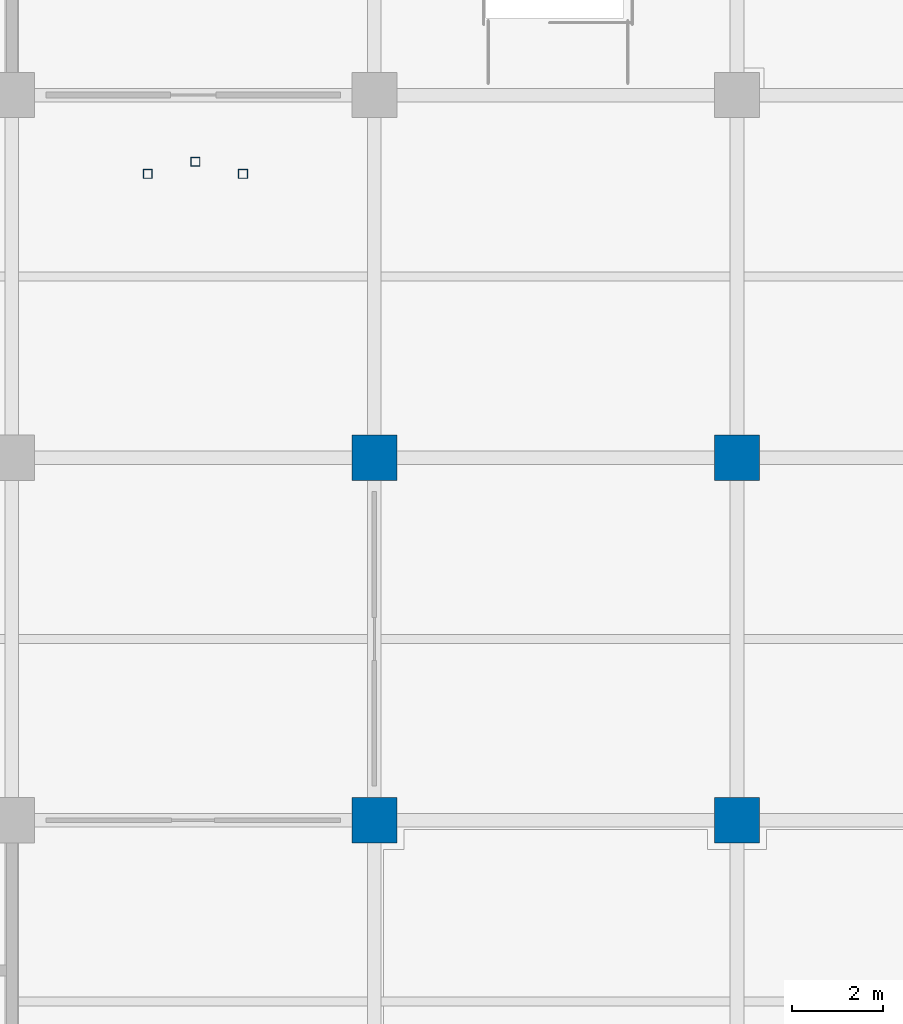
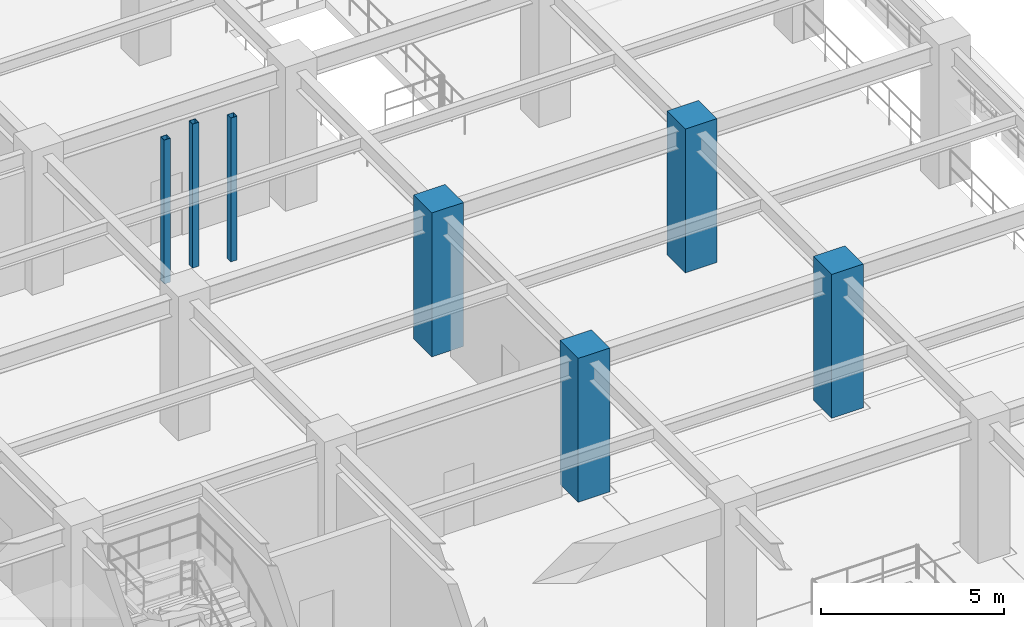
# One storey, part 2 of 117: 7 columns.
"""IFC4 building model written with IfcOpenShell, lengths in metres."""

import ifcopenshell
import ifcopenshell.guid

model = None  # the IFC model being written
_history = None  # IfcOwnerHistory: only IFC2X3 demands one
_inside = {}  # id of a spatial element -> (the spatial element, [elements in it])
_under = {}  # id of a project, library or spatial element -> (it, [spatial elements below it])
_declared = {}  # id of a project -> (the project, [libraries it declares])
_typed = {}  # id of a type object -> (the type object, [elements of that type])
_made_of = {}  # id of a material, layer set ... -> (it, [elements and type objects made of it])


def new_model(schema):
    """Start an empty IFC model of exactly this schema.

    Asked for "IFC4X3", IfcOpenShell would pick the latest addendum, in which some entities
    have other attributes; the version numbers below select the first issue.
    IFC2X3 requires an IfcOwnerHistory on every rooted entity: one is made here for all.
    """
    global model, _history
    if schema == "IFC4X3":
        model = ifcopenshell.file(schema_version=(4, 3, 0, 0))
    else:
        model = ifcopenshell.file(schema=schema)
    _inside.clear()
    _under.clear()
    _declared.clear()
    _typed.clear()
    _made_of.clear()
    _history = None
    if model.schema == "IFC2X3":
        org = make("IfcOrganization", Name="unknown")
        user = make(
            "IfcPersonAndOrganization",
            ThePerson=make("IfcPerson", FamilyName="unknown"),
            TheOrganization=org,
        )
        app = make(
            "IfcApplication",
            ApplicationDeveloper=org,
            Version="unknown",
            ApplicationFullName="unknown",
            ApplicationIdentifier="unknown",
        )
        _history = make(
            "IfcOwnerHistory",
            OwningUser=user,
            OwningApplication=app,
            ChangeAction="ADDED",
            CreationDate=0,
        )
    return model


def make(cls, **values):
    """One entity of the class cls with the attributes given. An attribute that is None is left unset."""
    return model.create_entity(
        cls, **{name: value for name, value in values.items() if value is not None}
    )


def rooted(cls, **values):
    """An entity with a GlobalId (a new one), such as an element, a storey or a relation."""
    return make(cls, GlobalId=ifcopenshell.guid.new(), OwnerHistory=_history, **values)


def si_unit(unit_type, name, prefix=None):
    """IfcSIUnit, for example si_unit("LENGTHUNIT", "METRE", prefix="MILLI")."""
    return make("IfcSIUnit", UnitType=unit_type, Prefix=prefix, Name=name)


def assignment(units):
    """IfcUnitAssignment: the units of a project."""
    return None if units is None else make("IfcUnitAssignment", Units=units)


def point(xyz):
    """IfcCartesianPoint."""
    return None if xyz is None else make("IfcCartesianPoint", Coordinates=xyz)


def direction(xyz):
    """IfcDirection."""
    return None if xyz is None else make("IfcDirection", DirectionRatios=xyz)


def frame(location, z_axis=None, x_axis=None):
    """IfcAxis2Placement3D, a coordinate frame: its origin and axes. An axis left out is left unset."""
    return make(
        "IfcAxis2Placement3D",
        Location=point(location),
        Axis=direction(z_axis),
        RefDirection=direction(x_axis),
    )


def frame_2d(location, x_axis=None):
    """IfcAxis2Placement2D, a coordinate frame in the plane: its origin and x axis."""
    return make(
        "IfcAxis2Placement2D", Location=point(location), RefDirection=direction(x_axis)
    )


def origin():
    """The frame at (0, 0, 0) with its axes left unset."""
    return frame((0.0, 0.0, 0.0))


def origin_2d():
    """The frame at (0, 0) in the plane with its x axis left unset."""
    return frame_2d((0.0, 0.0))


def place(relative_to, where):
    """IfcLocalPlacement: puts the frame where relative to a parent placement (None: the world)."""
    return make(
        "IfcLocalPlacement", PlacementRelTo=relative_to, RelativePlacement=where
    )


def context(
    kind, dimensions, precision=None, world=None, true_north=None, identifier=None
):
    """IfcGeometricRepresentationContext, for example the 3D "Model" context."""
    return make(
        "IfcGeometricRepresentationContext",
        ContextIdentifier=identifier,
        ContextType=kind,
        CoordinateSpaceDimension=dimensions,
        Precision=precision,
        WorldCoordinateSystem=world,
        TrueNorth=true_north,
    )


def subcontext(parent, identifier, kind, view, scale=None):
    """IfcGeometricRepresentationSubContext, for example "Body" below "Model"."""
    return make(
        "IfcGeometricRepresentationSubContext",
        ContextIdentifier=identifier,
        ContextType=kind,
        ParentContext=parent,
        TargetScale=scale,
        TargetView=view,
    )


def project(units=None, contexts=None):
    """IfcProject with its units and contexts."""
    return rooted(
        "IfcProject",
        Name="project",
        RepresentationContexts=contexts,
        UnitsInContext=assignment(units),
    )


def spatial(cls, under=None, at=None, **own):
    """A site, building, storey or space (cls), placed at a placement, below another one or the project."""
    s = rooted(cls, ObjectPlacement=at, **own)
    if under is not None:
        _under.setdefault(under.id(), (under, []))[1].append(s)
    return s


def profile(cls, at=None, kind="AREA", **sizes):
    """A parametric profile (cls). Its sizes go by their IFC names, for example OverallWidth=200.0."""
    return make(cls, ProfileType=kind, Position=at, **sizes)


def rectangle(**sizes):
    """IfcRectangleProfileDef."""
    return profile("IfcRectangleProfileDef", **sizes)


def hollow_rectangle(**sizes):
    """IfcRectangleHollowProfileDef."""
    return profile("IfcRectangleHollowProfileDef", **sizes)


def extrude(swept, where, along, depth):
    """IfcExtrudedAreaSolid: the profile swept, set in the frame where, extruded along a direction by depth."""
    return make(
        "IfcExtrudedAreaSolid",
        SweptArea=swept,
        Position=where,
        ExtrudedDirection=direction(along),
        Depth=depth,
    )


def shape(context_of_items, identifier, shape_type, items):
    """IfcShapeRepresentation: the items that make up one representation, for example the "Body"."""
    return make(
        "IfcShapeRepresentation",
        ContextOfItems=context_of_items,
        RepresentationIdentifier=identifier,
        RepresentationType=shape_type,
        Items=items,
    )


def material(Name=None, Category=None):
    """IfcMaterial."""
    return make("IfcMaterial", Name=Name, Category=Category)


def material_profile(
    of_material, cross_section, Name=None, Category=None, Priority=None
):
    """IfcMaterialProfile: a cross section and its material."""
    return make(
        "IfcMaterialProfile",
        Name=Name,
        Material=of_material,
        Profile=cross_section,
        Priority=Priority,
        Category=Category,
    )


def profile_set(profiles, Name=None, composite=None):
    """IfcMaterialProfileSet."""
    return make(
        "IfcMaterialProfileSet",
        Name=Name,
        MaterialProfiles=profiles,
        CompositeProfile=composite,
    )


def made_of(thing, what):
    """Note that an element or type object is made of a material, layer set ...; save() writes the relation."""
    if what is not None:
        _made_of.setdefault(what.id(), (what, []))[1].append(thing)
    return thing


def type_object(cls, material=None, **own):
    """A type object (cls), such as IfcWallType, which elements share."""
    return made_of(rooted(cls, **own), material)


def element(
    cls,
    number,
    at=None,
    inside=None,
    cuts=None,
    type_object=None,
    material=None,
    context=None,
    identifier="Body",
    shape_type=None,
    held_by="IfcProductDefinitionShape",
    body=None,
    shapes=None,
    **own,
):
    """One element of the class cls, such as IfcWall. Its Tag is "e" and its number.

    at: its placement. inside: the storey or other place that contains it. cuts: it is an
    opening in that element (IfcRelVoidsElement). A single representation is given by context,
    identifier, shape_type and body (its items); several are given by shapes. held_by: the class
    of the entity that holds the representations. save() writes the other relations.
    """
    e = rooted(cls, Tag="e%d" % number, ObjectPlacement=at, **own)
    if body is not None:
        shapes = [shape(context, identifier, shape_type, body)]
    if shapes is not None:
        e.Representation = make(held_by, Representations=shapes)
    if inside is not None:
        _inside.setdefault(inside.id(), (inside, []))[1].append(e)
    if cuts is not None:
        rooted(
            "IfcRelVoidsElement", RelatingBuildingElement=cuts, RelatedOpeningElement=e
        )
    if type_object is not None:
        _typed.setdefault(type_object.id(), (type_object, []))[1].append(e)
    return made_of(e, material)


def aggregate(whole, parts):
    """IfcRelAggregates: a whole, such as a stair, and the parts it consists of."""
    return rooted("IfcRelAggregates", RelatingObject=whole, RelatedObjects=parts)


def save(model, path):
    """Write the relations noted so far, then the file.

    IfcRelAggregates (storeys below a building ...), IfcRelContainedInSpatialStructure (elements
    in a storey), IfcRelDefinesByType, IfcRelAssociatesMaterial and IfcRelDeclares: one each for
    every whole, place, type object, material and project.
    """
    for whole, parts in _under.values():
        aggregate(whole, parts)
    for where, things in _inside.values():
        rooted(
            "IfcRelContainedInSpatialStructure",
            RelatedElements=things,
            RelatingStructure=where,
        )
    for kind, things in _typed.values():
        rooted("IfcRelDefinesByType", RelatedObjects=things, RelatingType=kind)
    for what, things in _made_of.values():
        rooted("IfcRelAssociatesMaterial", RelatedObjects=things, RelatingMaterial=what)
    for by, libraries in _declared.values():
        rooted("IfcRelDeclares", RelatingContext=by, RelatedDefinitions=libraries)
    model.write(path)


model = new_model("IFC4")

# Units and contexts
model_context = context("Model", 3, precision=1e-05, world=origin(), true_north=direction((0.0, 1.0)))
body_context = subcontext(model_context, "Body", "Model", "MODEL_VIEW")
ifc_project = project(units=[si_unit("LENGTHUNIT", "METRE"), si_unit("AREAUNIT", "SQUARE_METRE"), si_unit("VOLUMEUNIT", "CUBIC_METRE"), si_unit("PLANEANGLEUNIT", "RADIAN"), si_unit("MASSUNIT", "GRAM", prefix="KILO")], contexts=[model_context])

# Site, building, storey
site_placement = place(None, origin())
site = spatial("IfcSite", under=ifc_project, at=site_placement, CompositionType="ELEMENT")
building_placement = place(site_placement, origin())
building = spatial("IfcBuilding", under=site, at=building_placement, Name="Haebicheon Civic Stadium", CompositionType="ELEMENT")
storey_placement = place(building_placement, frame((0.0, 0.0, 4.800048828125)))
storey = spatial("IfcBuildingStorey", under=building, at=storey_placement, Name="L02", CompositionType="ELEMENT", Elevation=4.800048828125)

# Columns
ifc_material_1 = material(Name="Concrete C40/50", Category="concrete")
ifc_material_profile_1 = material_profile(ifc_material_1, rectangle(XDim=1.0, YDim=1.0, at=origin_2d()), Name="RC-COL-1000x1000")
ifc_profile_set_1 = profile_set([ifc_material_profile_1], Name="Concrete C40/50")
column_type_1 = type_object("IfcColumnType", Name="COL-RC-1000", PredefinedType="COLUMN", material=ifc_profile_set_1)
for number, where, z_axis, x_axis, name in (
    (1, (48.0, 64.0, 0.0), (0.0, 0.0, 1.0), (1.0, 0.0, 0.0), "L02 column 7/J"),
    (2, (48.0, 72.0, 0.0), (0.0, 0.0, 1.0), (1.0, 0.0, 0.0), "L02 column 7/K"),
    (3, (56.0, 64.0, 0.0), (0.0, 0.0, 1.0), (1.0, 0.0, 0.0), "L02 column 8/J"),
    (4, (56.0, 72.0, 0.0), (0.0, 0.0, 1.0), (1.0, 0.0, 0.0), "L02 column 8/K"),
):
    element("IfcColumn", number, at=place(storey_placement, frame(where, z_axis=z_axis, x_axis=x_axis)), inside=storey, type_object=column_type_1, material=ifc_profile_set_1, Name=name, PredefinedType="COLUMN", context=body_context, shape_type="SweptSolid", body=[
        extrude(rectangle(XDim=1.0, YDim=1.0, at=origin_2d()), origin(), (0.0, 0.0, 1.0), 4.800048828125),
    ])
ifc_material_2 = material(Name="Steel SM355 (S355)", Category="steel")
ifc_material_profile_2 = material_profile(ifc_material_2, hollow_rectangle(XDim=0.199951171875, YDim=0.199951171875, WallThickness=0.009033203125, at=origin_2d()), Name="RHS-200x200x9.0")
ifc_profile_set_2 = profile_set([ifc_material_profile_2], Name="Steel SM355 (S355)")
column_type_2 = type_object("IfcColumnType", Name="COL-ST-RHS200", PredefinedType="COLUMN", material=ifc_profile_set_2)
for number, where, z_axis, x_axis, name in (
    (5, (43.0, 78.260009765625, 0.0), (0.0, 0.0, 1.0), (1.0, 0.0, 0.0), "VM-04 L02 vomitory landing support post A"),
    (6, (45.10009765625, 78.260009765625, 0.0), (0.0, 0.0, 1.0), (1.0, 0.0, 0.0), "VM-04 L02 vomitory landing support post B"),
    (7, (44.050048828125, 78.530029296875, 0.0), (0.0, 0.0, 1.0), (1.0, 0.0, 0.0), "VM-04 L02 vomitory landing support post C"),
):
    element("IfcColumn", number, at=place(storey_placement, frame(where, z_axis=z_axis, x_axis=x_axis)), inside=storey, type_object=column_type_2, material=ifc_profile_set_2, Name=name, PredefinedType="COLUMN", context=body_context, shape_type="SweptSolid", body=[
        extrude(hollow_rectangle(XDim=0.199951171875, YDim=0.199951171875, WallThickness=0.009033203125, at=origin_2d()), origin(), (0.0, 0.0, 1.0), 4.800048828125),
    ])

save(model, "model.ifc")
